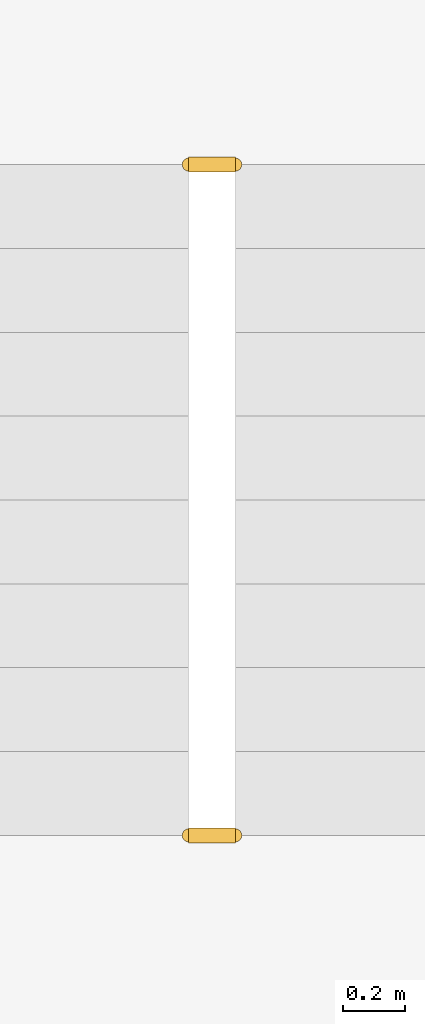
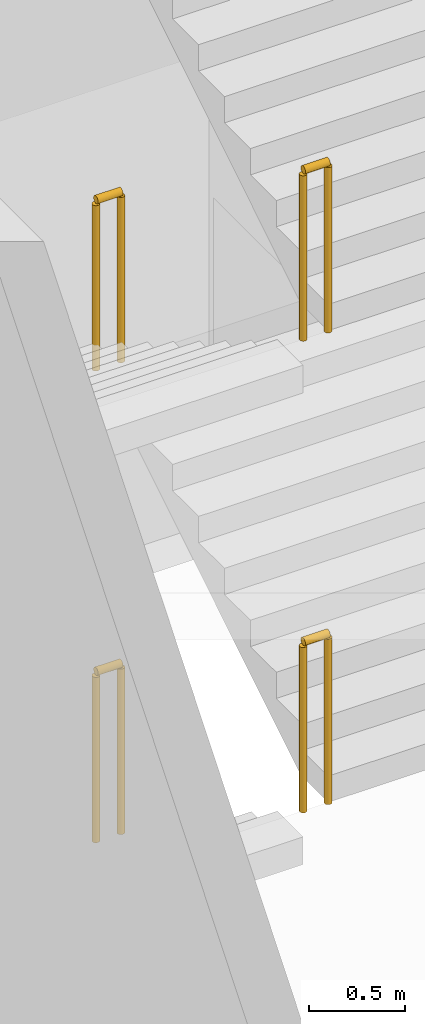
# One storey, part 18 of 25: 4 railings.
"""IFC4 building model written with IfcOpenShell, lengths in metres."""

from ifc_helpers import new_model, si_unit, direction, frame, origin, origin_2d, place, context, subcontext, project, spatial, circle, extrude, material, type_object, element, save


model = new_model("IFC4")

# Units and contexts
model_context = context("Model", 3, precision=1e-05, world=origin(), true_north=direction((0.0, 1.0)))
body_context = subcontext(model_context, "Body", "Model", "MODEL_VIEW")
ifc_project = project(units=[si_unit("LENGTHUNIT", "METRE"), si_unit("AREAUNIT", "SQUARE_METRE"), si_unit("VOLUMEUNIT", "CUBIC_METRE"), si_unit("PLANEANGLEUNIT", "RADIAN"), si_unit("MASSUNIT", "GRAM", prefix="KILO")], contexts=[model_context])

# Site, building, storey
site_placement = place(None, origin())
site = spatial("IfcSite", under=ifc_project, at=site_placement, CompositionType="ELEMENT")
building_placement = place(site_placement, origin())
building = spatial("IfcBuilding", under=site, at=building_placement, Name="Isbrekke Arena Tower", CompositionType="ELEMENT")
storey_placement = place(building_placement, frame((0.0, 0.0, 6.0)))
storey = spatial("IfcBuildingStorey", under=building, at=storey_placement, Name="L01", CompositionType="ELEMENT", Elevation=6.0)

# Railings
ifc_material = material(Name="Steel stair guard, vertical bars, steel handrail", Category="steel")
railing_type = type_object("IfcRailingType", Name="GR3 STAIR WELL GUARD 1100", PredefinedType="GUARDRAIL", material=ifc_material)
for number, where, name in (
    (1, (-52.074951171875, -34.324951171875, 0.0), "GR3 stair well guard P4 L01"),
    (2, (-52.074951171875, -36.485107421875, 1.5), "GR3 stair well guard P4 L01"),
    (3, (-52.074951171875, -34.324951171875, 3.0), "GR3 stair well guard P4 L01"),
    (4, (-52.074951171875, -36.485107421875, 4.5), "GR3 stair well guard P4 L01"),
):
    element("IfcRailing", number, at=place(storey_placement, frame(where)), inside=storey, type_object=railing_type, Name=name, PredefinedType="GUARDRAIL", context=body_context, shape_type="SweptSolid", body=[
        extrude(circle(Radius=0.02392578125, at=origin_2d()), frame((0.0, 0.0, 1.076171875), z_axis=(1.0, 0.0, 0.0), x_axis=(0.0, 1.0, 0.0)), (0.0, 0.0, 1.0), 0.14990234375),
        extrude(circle(Radius=0.02099609375, at=origin_2d()), origin(), (0.0, 0.0, 1.0), 1.052001953125),
        extrude(circle(Radius=0.02099609375, at=origin_2d()), frame((0.14990234375, 0.0, 0.0)), (0.0, 0.0, 1.0), 1.052001953125),
    ])

save(model, "model.ifc")
